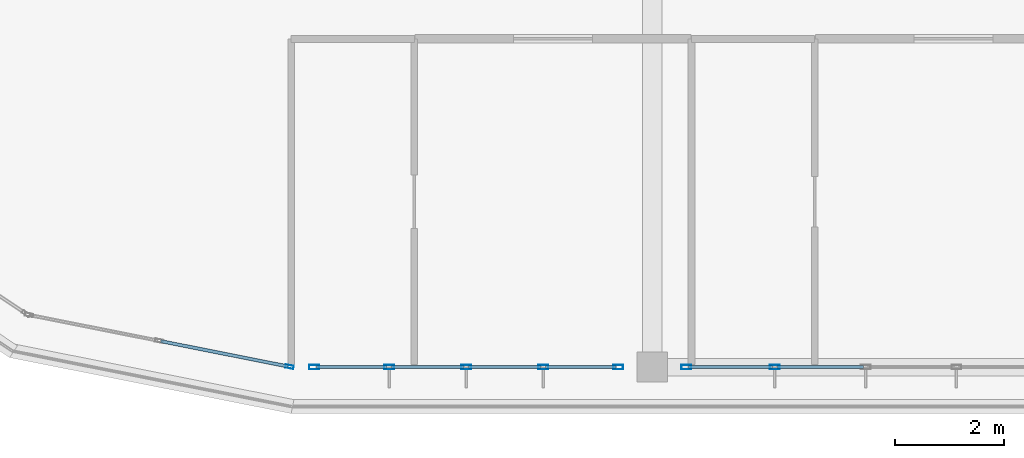
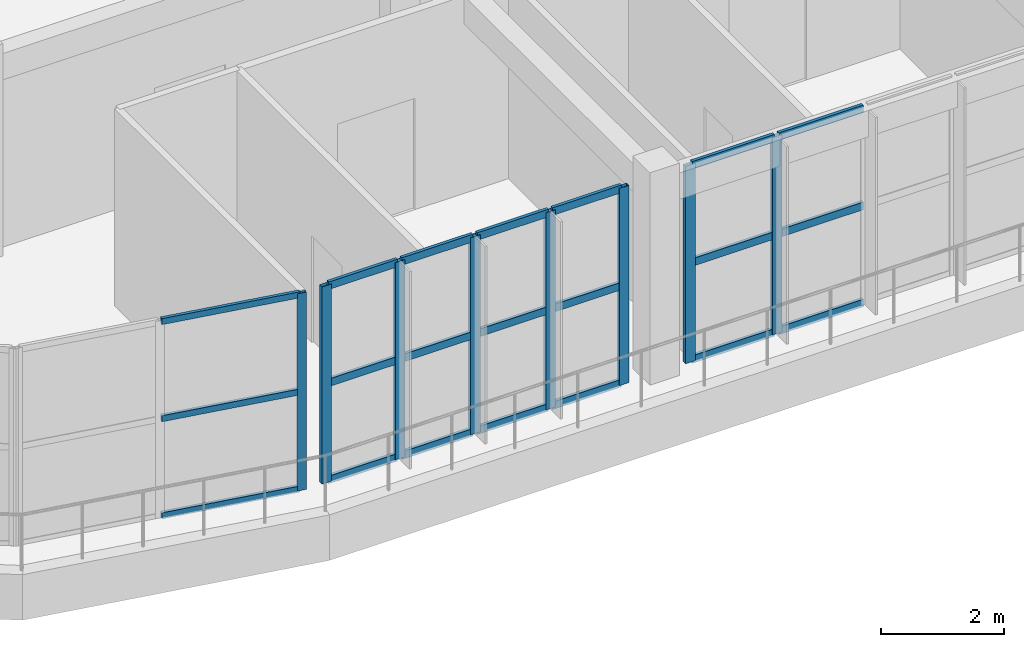
# One storey, part 4 of 33: 29 members, 3 elements without a shape of their own.
"""IFC4 building model written with IfcOpenShell, lengths in metres."""

from ifc_helpers import new_model, si_unit, direction, frame, origin, origin_2d, place, context, subcontext, project, spatial, hollow_rectangle, extrude, material, layer, layer_set, material_profile, profile_set, type_object, element, aggregate, save


model = new_model("IFC4")

# Units and contexts
model_context = context("Model", 3, precision=1e-05, world=origin(), true_north=direction((0.0, 1.0)))
body_context = subcontext(model_context, "Body", "Model", "MODEL_VIEW")
ifc_project = project(units=[si_unit("LENGTHUNIT", "METRE"), si_unit("AREAUNIT", "SQUARE_METRE"), si_unit("VOLUMEUNIT", "CUBIC_METRE"), si_unit("PLANEANGLEUNIT", "RADIAN"), si_unit("MASSUNIT", "GRAM", prefix="KILO")], contexts=[model_context])

# Site, building, storey
site_placement = place(None, origin())
site = spatial("IfcSite", under=ifc_project, at=site_placement, CompositionType="ELEMENT")
building_placement = place(site_placement, origin())
building = spatial("IfcBuilding", under=site, at=building_placement, Name="Zizhar Promenade General Hospital", CompositionType="ELEMENT")
storey_placement = place(building_placement, frame((0.0, 0.0, 39.0)))
storey = spatial("IfcBuildingStorey", under=building, at=storey_placement, Name="L09", CompositionType="ELEMENT", Elevation=39.0)

# Curtain wall, member
ifc_material_1 = material(Name="Anodised aluminium 6063-T6 and low-E glass", Category="aluminium")
ifc_layer_1 = layer(ifc_material_1, 0.159912109375)
ifc_layer_set_1 = layer_set([ifc_layer_1], Name="Anodised aluminium 6063-T6 and low-E glass")
curtain_wall_type_1 = type_object("IfcCurtainWallType", Name="CW-WARD-ARC", PredefinedType="NOTDEFINED", material=ifc_layer_set_1)
curtain_wall_1_placement = place(storey_placement, origin())
curtain_wall_1 = element("IfcCurtainWall", 1, at=curtain_wall_1_placement, inside=storey, type_object=curtain_wall_type_1, Name="Ward Semicircular End Glazing L09-17", PredefinedType="NOTDEFINED")
ifc_material_2 = material(Name="Anodised aluminium 6063-T6", Category="aluminium")
ifc_material_profile_1 = material_profile(ifc_material_2, hollow_rectangle(XDim=0.06005859375, YDim=0.14990234375, WallThickness=0.00390625, at=origin_2d()))
ifc_profile_set_1 = profile_set([ifc_material_profile_1], Name="Anodised aluminium 6063-T6")
member_type_1 = type_object("IfcMemberType", Name="CWM-ALU-150x60", PredefinedType="MULLION", material=ifc_profile_set_1)
member_1_placement = place(storey_placement, frame((55.7705078125, 0.005859375, 0.0), z_axis=(0.0, 0.0, 1.0), x_axis=(-0.195087259275, -0.980785889615, 0.0)))
member_1 = element("IfcMember", 2, at=member_1_placement, type_object=member_type_1, Name="CW-12 mullion 1", PredefinedType="MULLION", context=body_context, shape_type="SweptSolid", body=[
    extrude(hollow_rectangle(XDim=0.06005859375, YDim=0.14990234375, WallThickness=0.00390625, at=origin_2d()), origin(), (0.0, 0.0, 1.0), 3.89990234375),
])

# Curtain wall, members
ifc_material_3 = material(Name="Anodised aluminium 6063-T6 and low-E glass", Category="aluminium")
ifc_layer_2 = layer(ifc_material_3, 0.159912109375)
ifc_layer_set_2 = layer_set([ifc_layer_2], Name="Anodised aluminium 6063-T6 and low-E glass")
curtain_wall_type_2 = type_object("IfcCurtainWallType", Name="CW-WARD-RIB", PredefinedType="NOTDEFINED", material=ifc_layer_set_2)
curtain_wall_2_placement = place(storey_placement, origin())
curtain_wall_2 = element("IfcCurtainWall", 3, at=curtain_wall_2_placement, inside=storey, type_object=curtain_wall_type_2, Name="Ward Ribbon Curtain Wall L09-17-3", PredefinedType="NOTDEFINED")
ifc_material_4 = material(Name="Anodised aluminium 6063-T6", Category="aluminium")
ifc_material_profile_2 = material_profile(ifc_material_4, hollow_rectangle(XDim=0.080078125, YDim=0.179931640625, WallThickness=0.0048828125, at=origin_2d()))
ifc_profile_set_2 = profile_set([ifc_material_profile_2], Name="Anodised aluminium 6063-T6")
member_type_2 = type_object("IfcMemberType", Name="CWM-ALU-180x80", PredefinedType="MULLION", material=ifc_profile_set_2)
member_2_placement = place(storey_placement, frame((64.639892578125, 0.0, 0.0), z_axis=(0.0, 0.0, 1.0), x_axis=(0.0, -1.0, 0.0)))
member_2 = element("IfcMember", 4, at=member_2_placement, type_object=member_type_2, Name="CW-13 mullion 4", PredefinedType="MULLION", context=body_context, shape_type="SweptSolid", body=[
    extrude(hollow_rectangle(XDim=0.080078125, YDim=0.179931640625, WallThickness=0.0048828125, at=origin_2d()), origin(), (0.0, 0.0, 1.0), 3.89990234375),
])
member_3_placement = place(storey_placement, frame((63.02001953125, 0.0, 0.0), z_axis=(0.0, 0.0, 1.0), x_axis=(0.0, -1.0, 0.0)))
member_3 = element("IfcMember", 5, at=member_3_placement, type_object=member_type_2, Name="CW-13 mullion 5", PredefinedType="MULLION", context=body_context, shape_type="SweptSolid", body=[
    extrude(hollow_rectangle(XDim=0.080078125, YDim=0.179931640625, WallThickness=0.0048828125, at=origin_2d()), origin(), (0.0, 0.0, 1.0), 3.89990234375),
])

curtain_wall_3_placement = place(storey_placement, origin())
curtain_wall_3 = element("IfcCurtainWall", 6, at=curtain_wall_3_placement, inside=storey, type_object=curtain_wall_type_2, Name="Ward Ribbon Curtain Wall L09-17-4", PredefinedType="NOTDEFINED")
member_4_placement = place(storey_placement, frame((61.780029296875, 0.0, 0.0), z_axis=(0.0, 0.0, 1.0), x_axis=(0.0, -1.0, 0.0)))
member_4 = element("IfcMember", 7, at=member_4_placement, type_object=member_type_2, Name="CW-13 mullion 1", PredefinedType="MULLION", context=body_context, shape_type="SweptSolid", body=[
    extrude(hollow_rectangle(XDim=0.080078125, YDim=0.179931640625, WallThickness=0.0048828125, at=origin_2d()), origin(), (0.0, 0.0, 1.0), 3.89990234375),
])
member_5_placement = place(storey_placement, frame((60.409912109375, 0.0, 0.0), z_axis=(0.0, 0.0, 1.0), x_axis=(0.0, -1.0, 0.0)))
member_5 = element("IfcMember", 8, at=member_5_placement, type_object=member_type_2, Name="CW-13 mullion 2", PredefinedType="MULLION", context=body_context, shape_type="SweptSolid", body=[
    extrude(hollow_rectangle(XDim=0.080078125, YDim=0.179931640625, WallThickness=0.0048828125, at=origin_2d()), origin(), (0.0, 0.0, 1.0), 3.89990234375),
])
member_6_placement = place(storey_placement, frame((59.0, 0.0, 0.0), z_axis=(0.0, 0.0, 1.0), x_axis=(0.0, -1.0, 0.0)))
member_6 = element("IfcMember", 9, at=member_6_placement, type_object=member_type_2, Name="CW-13 mullion 3", PredefinedType="MULLION", context=body_context, shape_type="SweptSolid", body=[
    extrude(hollow_rectangle(XDim=0.080078125, YDim=0.179931640625, WallThickness=0.0048828125, at=origin_2d()), origin(), (0.0, 0.0, 1.0), 3.89990234375),
])
member_7_placement = place(storey_placement, frame((57.590087890625, 0.0, 0.0), z_axis=(0.0, 0.0, 1.0), x_axis=(0.0, -1.0, 0.0)))
member_7 = element("IfcMember", 10, at=member_7_placement, type_object=member_type_2, Name="CW-13 mullion 4", PredefinedType="MULLION", context=body_context, shape_type="SweptSolid", body=[
    extrude(hollow_rectangle(XDim=0.080078125, YDim=0.179931640625, WallThickness=0.0048828125, at=origin_2d()), origin(), (0.0, 0.0, 1.0), 3.89990234375),
])
member_8_placement = place(storey_placement, frame((56.219970703125, 0.0, 0.0), z_axis=(0.0, 0.0, 1.0), x_axis=(0.0, -1.0, 0.0)))
member_8 = element("IfcMember", 11, at=member_8_placement, type_object=member_type_2, Name="CW-13 mullion 5", PredefinedType="MULLION", context=body_context, shape_type="SweptSolid", body=[
    extrude(hollow_rectangle(XDim=0.080078125, YDim=0.179931640625, WallThickness=0.0048828125, at=origin_2d()), origin(), (0.0, 0.0, 1.0), 3.89990234375),
])

# Member
ifc_material_5 = material(Name="Anodised aluminium 6063-T6", Category="aluminium")
ifc_material_profile_3 = material_profile(ifc_material_5, hollow_rectangle(XDim=0.06005859375, YDim=0.1201171875, WallThickness=0.00390625, at=origin_2d()))
ifc_profile_set_3 = profile_set([ifc_material_profile_3], Name="Anodised aluminium 6063-T6")
member_type_3 = type_object("IfcMemberType", Name="CWT-ALU-120x60", PredefinedType="USERDEFINED", material=ifc_profile_set_3)
member_9_placement = place(storey_placement, frame((55.7412109375, 0.01171875, 0.030029296875), z_axis=(-0.980794200422, 0.195045472693, 0.0), x_axis=(-0.195045472693, -0.980794200422, 0.0)))
member_9 = element("IfcMember", 12, at=member_9_placement, type_object=member_type_3, Name="CW-12 transom 1.1", ObjectType="TRANSOM", PredefinedType="USERDEFINED", context=body_context, shape_type="SweptSolid", body=[
    extrude(hollow_rectangle(XDim=0.06005859375, YDim=0.1201171875, WallThickness=0.00390625, at=origin_2d()), origin(), (0.0, 0.0, 1.0), 2.3681640625),
])

member_10_placement = place(storey_placement, frame((55.7412109375, 0.01171875, 1.949951171875), z_axis=(-0.980794200422, 0.195045472693, 0.0), x_axis=(-0.195045472693, -0.980794200422, 0.0)))
member_10 = element("IfcMember", 13, at=member_10_placement, type_object=member_type_3, Name="CW-12 transom 1.2", ObjectType="TRANSOM", PredefinedType="USERDEFINED", context=body_context, shape_type="SweptSolid", body=[
    extrude(hollow_rectangle(XDim=0.06005859375, YDim=0.1201171875, WallThickness=0.00390625, at=origin_2d()), origin(), (0.0, 0.0, 1.0), 2.3681640625),
])

member_11_placement = place(storey_placement, frame((55.7412109375, 0.01171875, 3.8701171875), z_axis=(-0.980794200422, 0.195045472693, 0.0), x_axis=(-0.195045472693, -0.980794200422, 0.0)))
member_11 = element("IfcMember", 14, at=member_11_placement, type_object=member_type_3, Name="CW-12 transom 1.3", ObjectType="TRANSOM", PredefinedType="USERDEFINED", context=body_context, shape_type="SweptSolid", body=[
    extrude(hollow_rectangle(XDim=0.06005859375, YDim=0.1201171875, WallThickness=0.00390625, at=origin_2d()), origin(), (0.0, 0.0, 1.0), 2.3681640625),
])

aggregate(curtain_wall_1, [member_1, member_9, member_10, member_11])

ifc_material_6 = material(Name="Anodised aluminium 6063-T6", Category="aluminium")
ifc_material_profile_4 = material_profile(ifc_material_6, hollow_rectangle(XDim=0.06005859375, YDim=0.14990234375, WallThickness=0.00390625, at=origin_2d()))
ifc_profile_set_4 = profile_set([ifc_material_profile_4], Name="Anodised aluminium 6063-T6")
member_type_4 = type_object("IfcMemberType", Name="CWT-ALU-150x60", PredefinedType="USERDEFINED", material=ifc_profile_set_4)
member_12_placement = place(storey_placement, frame((66.260009765625, 0.0, 0.030029296875), z_axis=(-1.0, 0.0, 0.0), x_axis=(0.0, -1.0, 0.0)))
member_12 = element("IfcMember", 15, at=member_12_placement, type_object=member_type_4, Name="CW-13 transom 3.1", ObjectType="TRANSOM", PredefinedType="USERDEFINED", context=body_context, shape_type="SweptSolid", body=[
    extrude(hollow_rectangle(XDim=0.06005859375, YDim=0.14990234375, WallThickness=0.00390625, at=origin_2d()), origin(), (0.0, 0.0, 1.0), 1.580078125),
])

member_13_placement = place(storey_placement, frame((66.260009765625, 0.0, 1.949951171875), z_axis=(-1.0, 0.0, 0.0), x_axis=(0.0, -1.0, 0.0)))
member_13 = element("IfcMember", 16, at=member_13_placement, type_object=member_type_4, Name="CW-13 transom 3.2", ObjectType="TRANSOM", PredefinedType="USERDEFINED", context=body_context, shape_type="SweptSolid", body=[
    extrude(hollow_rectangle(XDim=0.06005859375, YDim=0.14990234375, WallThickness=0.00390625, at=origin_2d()), origin(), (0.0, 0.0, 1.0), 1.580078125),
])

member_14_placement = place(storey_placement, frame((66.260009765625, 0.0, 3.8701171875), z_axis=(-1.0, 0.0, 0.0), x_axis=(0.0, -1.0, 0.0)))
member_14 = element("IfcMember", 17, at=member_14_placement, type_object=member_type_4, Name="CW-13 transom 3.3", ObjectType="TRANSOM", PredefinedType="USERDEFINED", context=body_context, shape_type="SweptSolid", body=[
    extrude(hollow_rectangle(XDim=0.06005859375, YDim=0.14990234375, WallThickness=0.00390625, at=origin_2d()), origin(), (0.0, 0.0, 1.0), 1.580078125),
])

member_15_placement = place(storey_placement, frame((64.60009765625, 0.0, 0.030029296875), z_axis=(-1.0, 0.0, 0.0), x_axis=(0.0, -1.0, 0.0)))
member_15 = element("IfcMember", 18, at=member_15_placement, type_object=member_type_4, Name="CW-13 transom 4.1", ObjectType="TRANSOM", PredefinedType="USERDEFINED", context=body_context, shape_type="SweptSolid", body=[
    extrude(hollow_rectangle(XDim=0.06005859375, YDim=0.14990234375, WallThickness=0.00390625, at=origin_2d()), origin(), (0.0, 0.0, 1.0), 1.5400390625),
])

member_16_placement = place(storey_placement, frame((64.60009765625, 0.0, 1.949951171875), z_axis=(-1.0, 0.0, 0.0), x_axis=(0.0, -1.0, 0.0)))
member_16 = element("IfcMember", 19, at=member_16_placement, type_object=member_type_4, Name="CW-13 transom 4.2", ObjectType="TRANSOM", PredefinedType="USERDEFINED", context=body_context, shape_type="SweptSolid", body=[
    extrude(hollow_rectangle(XDim=0.06005859375, YDim=0.14990234375, WallThickness=0.00390625, at=origin_2d()), origin(), (0.0, 0.0, 1.0), 1.5400390625),
])

member_17_placement = place(storey_placement, frame((64.60009765625, 0.0, 3.8701171875), z_axis=(-1.0, 0.0, 0.0), x_axis=(0.0, -1.0, 0.0)))
member_17 = element("IfcMember", 20, at=member_17_placement, type_object=member_type_4, Name="CW-13 transom 4.3", ObjectType="TRANSOM", PredefinedType="USERDEFINED", context=body_context, shape_type="SweptSolid", body=[
    extrude(hollow_rectangle(XDim=0.06005859375, YDim=0.14990234375, WallThickness=0.00390625, at=origin_2d()), origin(), (0.0, 0.0, 1.0), 1.5400390625),
])

aggregate(curtain_wall_2, [member_2, member_3, member_12, member_13, member_14, member_15, member_16, member_17])

member_18_placement = place(storey_placement, frame((61.739990234375, 0.0, 0.030029296875), z_axis=(-1.0, 0.0, 0.0), x_axis=(0.0, -1.0, 0.0)))
member_18 = element("IfcMember", 21, at=member_18_placement, type_object=member_type_4, Name="CW-13 transom 1.1", ObjectType="TRANSOM", PredefinedType="USERDEFINED", context=body_context, shape_type="SweptSolid", body=[
    extrude(hollow_rectangle(XDim=0.06005859375, YDim=0.14990234375, WallThickness=0.00390625, at=origin_2d()), origin(), (0.0, 0.0, 1.0), 1.2900390625),
])

member_19_placement = place(storey_placement, frame((61.739990234375, 0.0, 1.949951171875), z_axis=(-1.0, 0.0, 0.0), x_axis=(0.0, -1.0, 0.0)))
member_19 = element("IfcMember", 22, at=member_19_placement, type_object=member_type_4, Name="CW-13 transom 1.2", ObjectType="TRANSOM", PredefinedType="USERDEFINED", context=body_context, shape_type="SweptSolid", body=[
    extrude(hollow_rectangle(XDim=0.06005859375, YDim=0.14990234375, WallThickness=0.00390625, at=origin_2d()), origin(), (0.0, 0.0, 1.0), 1.2900390625),
])

member_20_placement = place(storey_placement, frame((61.739990234375, 0.0, 3.8701171875), z_axis=(-1.0, 0.0, 0.0), x_axis=(0.0, -1.0, 0.0)))
member_20 = element("IfcMember", 23, at=member_20_placement, type_object=member_type_4, Name="CW-13 transom 1.3", ObjectType="TRANSOM", PredefinedType="USERDEFINED", context=body_context, shape_type="SweptSolid", body=[
    extrude(hollow_rectangle(XDim=0.06005859375, YDim=0.14990234375, WallThickness=0.00390625, at=origin_2d()), origin(), (0.0, 0.0, 1.0), 1.2900390625),
])

member_21_placement = place(storey_placement, frame((60.3701171875, 0.0, 0.030029296875), z_axis=(-1.0, 0.0, 0.0), x_axis=(0.0, -1.0, 0.0)))
member_21 = element("IfcMember", 24, at=member_21_placement, type_object=member_type_4, Name="CW-13 transom 2.1", ObjectType="TRANSOM", PredefinedType="USERDEFINED", context=body_context, shape_type="SweptSolid", body=[
    extrude(hollow_rectangle(XDim=0.06005859375, YDim=0.14990234375, WallThickness=0.00390625, at=origin_2d()), origin(), (0.0, 0.0, 1.0), 1.330078125),
])

member_22_placement = place(storey_placement, frame((60.3701171875, 0.0, 1.949951171875), z_axis=(-1.0, 0.0, 0.0), x_axis=(0.0, -1.0, 0.0)))
member_22 = element("IfcMember", 25, at=member_22_placement, type_object=member_type_4, Name="CW-13 transom 2.2", ObjectType="TRANSOM", PredefinedType="USERDEFINED", context=body_context, shape_type="SweptSolid", body=[
    extrude(hollow_rectangle(XDim=0.06005859375, YDim=0.14990234375, WallThickness=0.00390625, at=origin_2d()), origin(), (0.0, 0.0, 1.0), 1.330078125),
])

member_23_placement = place(storey_placement, frame((60.3701171875, 0.0, 3.8701171875), z_axis=(-1.0, 0.0, 0.0), x_axis=(0.0, -1.0, 0.0)))
member_23 = element("IfcMember", 26, at=member_23_placement, type_object=member_type_4, Name="CW-13 transom 2.3", ObjectType="TRANSOM", PredefinedType="USERDEFINED", context=body_context, shape_type="SweptSolid", body=[
    extrude(hollow_rectangle(XDim=0.06005859375, YDim=0.14990234375, WallThickness=0.00390625, at=origin_2d()), origin(), (0.0, 0.0, 1.0), 1.330078125),
])

member_24_placement = place(storey_placement, frame((58.9599609375, 0.0, 0.030029296875), z_axis=(-1.0, 0.0, 0.0), x_axis=(0.0, -1.0, 0.0)))
member_24 = element("IfcMember", 27, at=member_24_placement, type_object=member_type_4, Name="CW-13 transom 3.1", ObjectType="TRANSOM", PredefinedType="USERDEFINED", context=body_context, shape_type="SweptSolid", body=[
    extrude(hollow_rectangle(XDim=0.06005859375, YDim=0.14990234375, WallThickness=0.00390625, at=origin_2d()), origin(), (0.0, 0.0, 1.0), 1.330078125),
])

member_25_placement = place(storey_placement, frame((58.9599609375, 0.0, 1.949951171875), z_axis=(-1.0, 0.0, 0.0), x_axis=(0.0, -1.0, 0.0)))
member_25 = element("IfcMember", 28, at=member_25_placement, type_object=member_type_4, Name="CW-13 transom 3.2", ObjectType="TRANSOM", PredefinedType="USERDEFINED", context=body_context, shape_type="SweptSolid", body=[
    extrude(hollow_rectangle(XDim=0.06005859375, YDim=0.14990234375, WallThickness=0.00390625, at=origin_2d()), origin(), (0.0, 0.0, 1.0), 1.330078125),
])

member_26_placement = place(storey_placement, frame((58.9599609375, 0.0, 3.8701171875), z_axis=(-1.0, 0.0, 0.0), x_axis=(0.0, -1.0, 0.0)))
member_26 = element("IfcMember", 29, at=member_26_placement, type_object=member_type_4, Name="CW-13 transom 3.3", ObjectType="TRANSOM", PredefinedType="USERDEFINED", context=body_context, shape_type="SweptSolid", body=[
    extrude(hollow_rectangle(XDim=0.06005859375, YDim=0.14990234375, WallThickness=0.00390625, at=origin_2d()), origin(), (0.0, 0.0, 1.0), 1.330078125),
])

member_27_placement = place(storey_placement, frame((57.550048828125, 0.0, 0.030029296875), z_axis=(-1.0, 0.0, 0.0), x_axis=(0.0, -1.0, 0.0)))
member_27 = element("IfcMember", 30, at=member_27_placement, type_object=member_type_4, Name="CW-13 transom 4.1", ObjectType="TRANSOM", PredefinedType="USERDEFINED", context=body_context, shape_type="SweptSolid", body=[
    extrude(hollow_rectangle(XDim=0.06005859375, YDim=0.14990234375, WallThickness=0.00390625, at=origin_2d()), origin(), (0.0, 0.0, 1.0), 1.2900390625),
])

member_28_placement = place(storey_placement, frame((57.550048828125, 0.0, 1.949951171875), z_axis=(-1.0, 0.0, 0.0), x_axis=(0.0, -1.0, 0.0)))
member_28 = element("IfcMember", 31, at=member_28_placement, type_object=member_type_4, Name="CW-13 transom 4.2", ObjectType="TRANSOM", PredefinedType="USERDEFINED", context=body_context, shape_type="SweptSolid", body=[
    extrude(hollow_rectangle(XDim=0.06005859375, YDim=0.14990234375, WallThickness=0.00390625, at=origin_2d()), origin(), (0.0, 0.0, 1.0), 1.2900390625),
])

member_29_placement = place(storey_placement, frame((57.550048828125, 0.0, 3.8701171875), z_axis=(-1.0, 0.0, 0.0), x_axis=(0.0, -1.0, 0.0)))
member_29 = element("IfcMember", 32, at=member_29_placement, type_object=member_type_4, Name="CW-13 transom 4.3", ObjectType="TRANSOM", PredefinedType="USERDEFINED", context=body_context, shape_type="SweptSolid", body=[
    extrude(hollow_rectangle(XDim=0.06005859375, YDim=0.14990234375, WallThickness=0.00390625, at=origin_2d()), origin(), (0.0, 0.0, 1.0), 1.2900390625),
])

aggregate(curtain_wall_3, [member_4, member_5, member_6, member_7, member_8, member_18, member_19, member_20, member_21, member_22, member_23, member_24, member_25, member_26, member_27, member_28, member_29])

save(model, "model.ifc")
